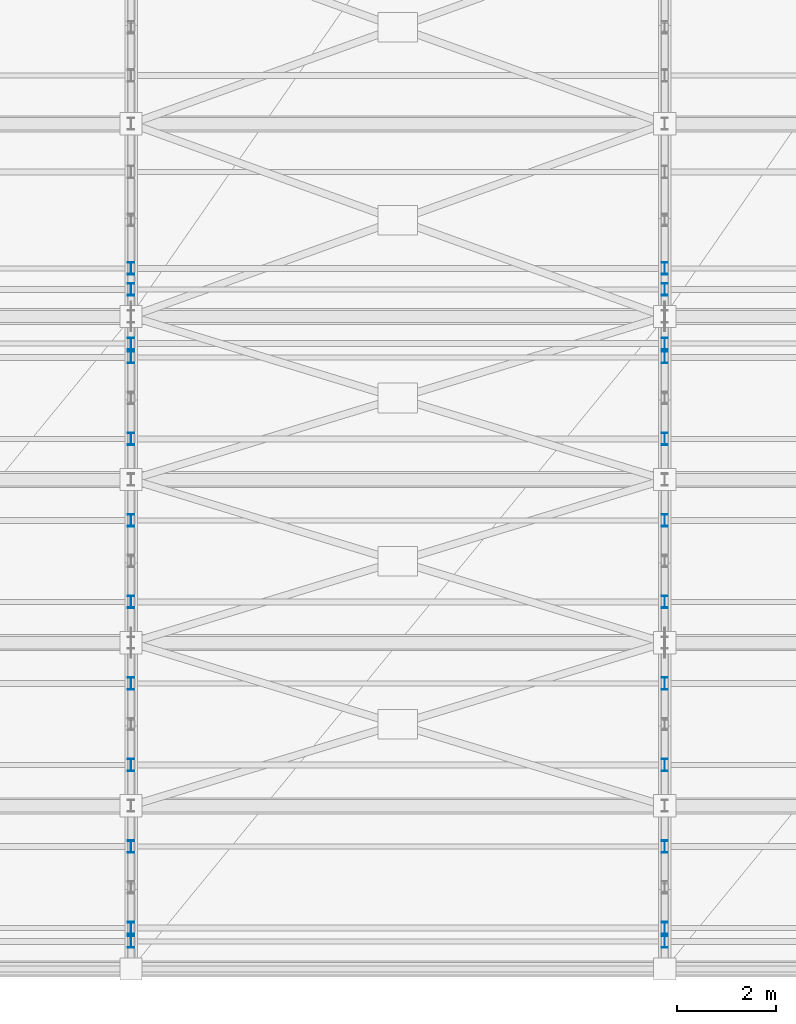
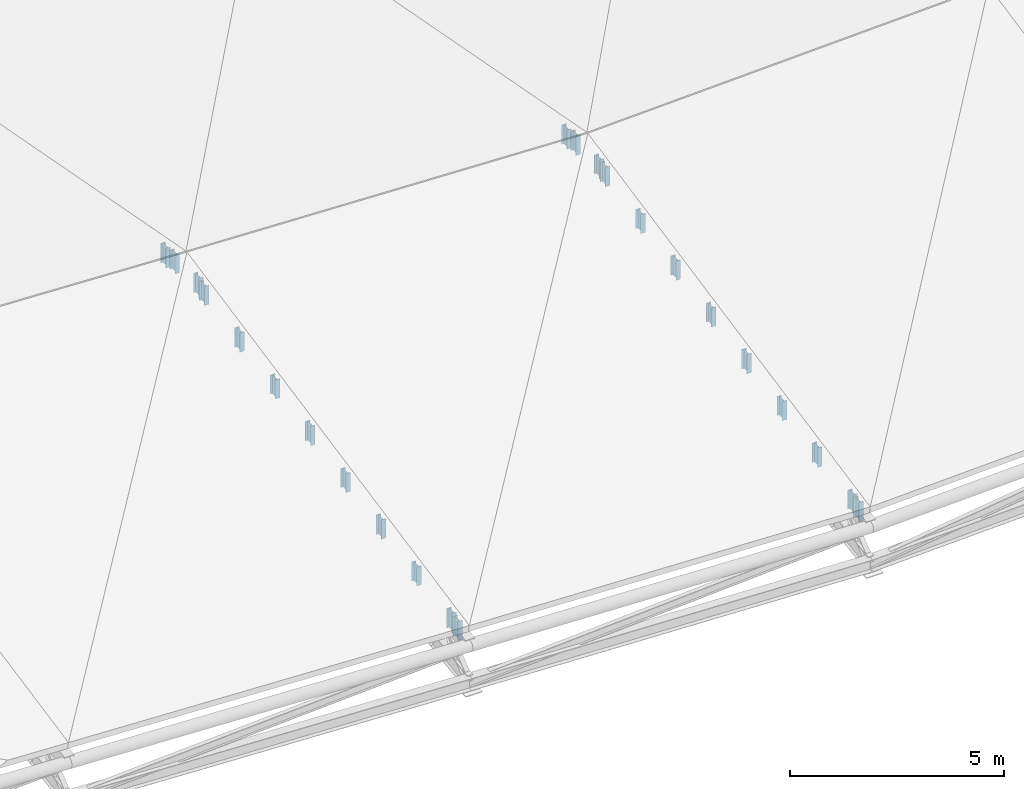
# One storey, part 48 of 89: 24 members.
"""IFC4 building model written with IfcOpenShell, lengths in metres."""

from ifc_helpers import new_model, si_unit, direction, frame, origin, origin_2d, place, context, subcontext, project, spatial, i_section, extrude, material, material_profile, profile_set, type_object, element, save


model = new_model("IFC4")

# Units and contexts
model_context = context("Model", 3, precision=1e-05, world=origin(), true_north=direction((0.0, 1.0)))
body_context = subcontext(model_context, "Body", "Model", "MODEL_VIEW")
ifc_project = project(units=[si_unit("LENGTHUNIT", "METRE"), si_unit("AREAUNIT", "SQUARE_METRE"), si_unit("VOLUMEUNIT", "CUBIC_METRE"), si_unit("PLANEANGLEUNIT", "RADIAN"), si_unit("MASSUNIT", "GRAM", prefix="KILO")], contexts=[model_context])

# Site, building, storey
site_placement = place(None, origin())
site = spatial("IfcSite", under=ifc_project, at=site_placement, CompositionType="ELEMENT")
building_placement = place(site_placement, origin())
building = spatial("IfcBuilding", under=site, at=building_placement, Name="Suirenkawa Promenade Aquatics Centre", CompositionType="ELEMENT")
storey_placement = place(building_placement, frame((0.0, 0.0, 9.60009765625)))
storey = spatial("IfcBuildingStorey", under=building, at=storey_placement, Name="L02", CompositionType="ELEMENT", Elevation=9.60009765625)

# Members
ifc_material = material(Name="Steel IS 2062 E350 (Grade 350)", Category="steel")
ifc_material_profile = material_profile(ifc_material, i_section(OverallWidth=0.125, OverallDepth=0.25, WebThickness=0.007080078125, FlangeThickness=0.012939453125, at=origin_2d()), Name="ISMB 250", Category="steel")
ifc_profile_set = profile_set([ifc_material_profile], Name="Steel IS 2062 E350 (Grade 350)")
member_type = type_object("IfcMemberType", Name="MT-WEB-CHS168", PredefinedType="BRACE", material=ifc_profile_set)
member_1_placement = place(storey_placement, frame((100.800048828125, 0.550048828125, -1.22021484375), z_axis=(0.0, 0.0, 1.0), x_axis=(1.0, 0.0, 0.0)))
element("IfcMember", 1, at=member_1_placement, inside=storey, type_object=member_type, Name="ROOF TRUSS Purlin cleat post TD-03 MB-2666", PredefinedType="BRACE", context=body_context, shape_type="SweptSolid", body=[
    extrude(i_section(OverallWidth=0.125, OverallDepth=0.25, WebThickness=0.007080078125, FlangeThickness=0.012939453125, at=origin_2d()), origin(), (0.0, 0.0, 1.0), 0.5400390625),
])
member_2_placement = place(storey_placement, frame((100.800048828125, 0.824951171875, -1.1640625), z_axis=(0.0, 0.0, 1.0), x_axis=(1.0, 0.0, 0.0)))
element("IfcMember", 2, at=member_2_placement, inside=storey, type_object=member_type, Name="ROOF TRUSS Purlin cleat post TD-03 MB-2668", PredefinedType="BRACE", context=body_context, shape_type="SweptSolid", body=[
    extrude(i_section(OverallWidth=0.125, OverallDepth=0.25, WebThickness=0.007080078125, FlangeThickness=0.012939453125, at=origin_2d()), origin(), (0.0, 0.0, 1.0), 0.552001953125),
])
member_3_placement = place(storey_placement, frame((100.800048828125, 2.47509765625, -0.8330078125), z_axis=(0.0, 0.0, 1.0), x_axis=(1.0, 0.0, 0.0)))
element("IfcMember", 3, at=member_3_placement, inside=storey, type_object=member_type, Name="ROOF TRUSS Purlin cleat post TD-03 MB-2670", PredefinedType="BRACE", context=body_context, shape_type="SweptSolid", body=[
    extrude(i_section(OverallWidth=0.125, OverallDepth=0.25, WebThickness=0.007080078125, FlangeThickness=0.012939453125, at=origin_2d()), origin(), (0.0, 0.0, 1.0), 0.539794921875),
])
member_4_placement = place(storey_placement, frame((100.800048828125, 4.125, -0.502197265625), z_axis=(0.0, 0.0, 1.0), x_axis=(1.0, 0.0, 0.0)))
element("IfcMember", 4, at=member_4_placement, inside=storey, type_object=member_type, Name="ROOF TRUSS Purlin cleat post TD-03 MB-2672", PredefinedType="BRACE", context=body_context, shape_type="SweptSolid", body=[
    extrude(i_section(OverallWidth=0.125, OverallDepth=0.25, WebThickness=0.007080078125, FlangeThickness=0.012939453125, at=origin_2d()), origin(), (0.0, 0.0, 1.0), 0.552001953125),
])
member_5_placement = place(storey_placement, frame((100.800048828125, 5.77490234375, -0.171142578125), z_axis=(0.0, 0.0, 1.0), x_axis=(1.0, 0.0, 0.0)))
element("IfcMember", 5, at=member_5_placement, inside=storey, type_object=member_type, Name="ROOF TRUSS Purlin cleat post TD-03 MB-2674", PredefinedType="BRACE", context=body_context, shape_type="SweptSolid", body=[
    extrude(i_section(OverallWidth=0.125, OverallDepth=0.25, WebThickness=0.007080078125, FlangeThickness=0.012939453125, at=origin_2d()), origin(), (0.0, 0.0, 1.0), 0.5400390625),
])
member_6_placement = place(storey_placement, frame((100.800048828125, 7.425048828125, 0.160888671875), z_axis=(0.0, 0.0, 1.0), x_axis=(1.0, 0.0, 0.0)))
element("IfcMember", 6, at=member_6_placement, inside=storey, type_object=member_type, Name="ROOF TRUSS Purlin cleat post TD-03 MB-2676", PredefinedType="BRACE", context=body_context, shape_type="SweptSolid", body=[
    extrude(i_section(OverallWidth=0.125, OverallDepth=0.25, WebThickness=0.007080078125, FlangeThickness=0.012939453125, at=origin_2d()), origin(), (0.0, 0.0, 1.0), 0.552001953125),
])
member_7_placement = place(storey_placement, frame((100.800048828125, 9.074951171875, 0.491943359375), z_axis=(0.0, 0.0, 1.0), x_axis=(1.0, 0.0, 0.0)))
element("IfcMember", 7, at=member_7_placement, inside=storey, type_object=member_type, Name="ROOF TRUSS Purlin cleat post TD-03 MB-2678", PredefinedType="BRACE", context=body_context, shape_type="SweptSolid", body=[
    extrude(i_section(OverallWidth=0.125, OverallDepth=0.25, WebThickness=0.007080078125, FlangeThickness=0.012939453125, at=origin_2d()), origin(), (0.0, 0.0, 1.0), 0.5400390625),
])
member_8_placement = place(storey_placement, frame((100.800048828125, 10.72509765625, 0.822998046875), z_axis=(0.0, 0.0, 1.0), x_axis=(1.0, 0.0, 0.0)))
element("IfcMember", 8, at=member_8_placement, inside=storey, type_object=member_type, Name="ROOF TRUSS Purlin cleat post TD-03 MB-2680", PredefinedType="BRACE", context=body_context, shape_type="SweptSolid", body=[
    extrude(i_section(OverallWidth=0.125, OverallDepth=0.25, WebThickness=0.007080078125, FlangeThickness=0.012939453125, at=origin_2d()), origin(), (0.0, 0.0, 1.0), 0.552001953125),
])
member_9_placement = place(storey_placement, frame((100.800048828125, 12.375, 1.15380859375), z_axis=(0.0, 0.0, 1.0), x_axis=(1.0, 0.0, 0.0)))
element("IfcMember", 9, at=member_9_placement, inside=storey, type_object=member_type, Name="ROOF TRUSS Purlin cleat post TD-03 MB-2682", PredefinedType="BRACE", context=body_context, shape_type="SweptSolid", body=[
    extrude(i_section(OverallWidth=0.125, OverallDepth=0.25, WebThickness=0.007080078125, FlangeThickness=0.012939453125, at=origin_2d()), origin(), (0.0, 0.0, 1.0), 0.5400390625),
])
member_10_placement = place(storey_placement, frame((100.800048828125, 12.64990234375, 1.2099609375), z_axis=(0.0, 0.0, 1.0), x_axis=(1.0, 0.0, 0.0)))
element("IfcMember", 10, at=member_10_placement, inside=storey, type_object=member_type, Name="ROOF TRUSS Purlin cleat post TD-03 MB-2684", PredefinedType="BRACE", context=body_context, shape_type="SweptSolid", body=[
    extrude(i_section(OverallWidth=0.125, OverallDepth=0.25, WebThickness=0.007080078125, FlangeThickness=0.012939453125, at=origin_2d()), origin(), (0.0, 0.0, 1.0), 0.552001953125),
])
member_11_placement = place(storey_placement, frame((100.800048828125, 13.75, 1.2158203125), z_axis=(0.0, 0.0, 1.0), x_axis=(1.0, 0.0, 0.0)))
element("IfcMember", 11, at=member_11_placement, inside=storey, type_object=member_type, Name="ROOF TRUSS Purlin cleat post TD-03 MB-2686", PredefinedType="BRACE", context=body_context, shape_type="SweptSolid", body=[
    extrude(i_section(OverallWidth=0.125, OverallDepth=0.25, WebThickness=0.007080078125, FlangeThickness=0.012939453125, at=origin_2d()), origin(), (0.0, 0.0, 1.0), 0.541015625),
])
member_12_placement = place(storey_placement, frame((100.800048828125, 14.175048828125, 1.135986328125), z_axis=(0.0, 0.0, 1.0), x_axis=(1.0, 0.0, 0.0)))
element("IfcMember", 12, at=member_12_placement, inside=storey, type_object=member_type, Name="ROOF TRUSS Purlin cleat post TD-03 MB-2688", PredefinedType="BRACE", context=body_context, shape_type="SweptSolid", body=[
    extrude(i_section(OverallWidth=0.125, OverallDepth=0.25, WebThickness=0.007080078125, FlangeThickness=0.012939453125, at=origin_2d()), origin(), (0.0, 0.0, 1.0), 0.552978515625),
])
member_13_placement = place(storey_placement, frame((111.60009765625, 0.550048828125, -1.6201171875), z_axis=(0.0, 0.0, 1.0), x_axis=(1.0, 0.0, 0.0)))
element("IfcMember", 13, at=member_13_placement, inside=storey, type_object=member_type, Name="ROOF TRUSS Purlin cleat post TD-03 MB-2706", PredefinedType="BRACE", context=body_context, shape_type="SweptSolid", body=[
    extrude(i_section(OverallWidth=0.125, OverallDepth=0.25, WebThickness=0.007080078125, FlangeThickness=0.012939453125, at=origin_2d()), origin(), (0.0, 0.0, 1.0), 0.552001953125),
])
member_14_placement = place(storey_placement, frame((111.60009765625, 0.824951171875, -1.564208984375), z_axis=(0.0, 0.0, 1.0), x_axis=(1.0, 0.0, 0.0)))
element("IfcMember", 14, at=member_14_placement, inside=storey, type_object=member_type, Name="ROOF TRUSS Purlin cleat post TD-03 MB-2708", PredefinedType="BRACE", context=body_context, shape_type="SweptSolid", body=[
    extrude(i_section(OverallWidth=0.125, OverallDepth=0.25, WebThickness=0.007080078125, FlangeThickness=0.012939453125, at=origin_2d()), origin(), (0.0, 0.0, 1.0), 0.5400390625),
])
member_15_placement = place(storey_placement, frame((111.60009765625, 2.47509765625, -1.233154296875), z_axis=(0.0, 0.0, 1.0), x_axis=(1.0, 0.0, 0.0)))
element("IfcMember", 15, at=member_15_placement, inside=storey, type_object=member_type, Name="ROOF TRUSS Purlin cleat post TD-03 MB-2710", PredefinedType="BRACE", context=body_context, shape_type="SweptSolid", body=[
    extrude(i_section(OverallWidth=0.125, OverallDepth=0.25, WebThickness=0.007080078125, FlangeThickness=0.012939453125, at=origin_2d()), origin(), (0.0, 0.0, 1.0), 0.552001953125),
])
member_16_placement = place(storey_placement, frame((111.60009765625, 4.125, -0.902099609375), z_axis=(0.0, 0.0, 1.0), x_axis=(1.0, 0.0, 0.0)))
element("IfcMember", 16, at=member_16_placement, inside=storey, type_object=member_type, Name="ROOF TRUSS Purlin cleat post TD-03 MB-2712", PredefinedType="BRACE", context=body_context, shape_type="SweptSolid", body=[
    extrude(i_section(OverallWidth=0.125, OverallDepth=0.25, WebThickness=0.007080078125, FlangeThickness=0.012939453125, at=origin_2d()), origin(), (0.0, 0.0, 1.0), 0.5400390625),
])
member_17_placement = place(storey_placement, frame((111.60009765625, 5.77490234375, -0.571044921875), z_axis=(0.0, 0.0, 1.0), x_axis=(1.0, 0.0, 0.0)))
element("IfcMember", 17, at=member_17_placement, inside=storey, type_object=member_type, Name="ROOF TRUSS Purlin cleat post TD-03 MB-2714", PredefinedType="BRACE", context=body_context, shape_type="SweptSolid", body=[
    extrude(i_section(OverallWidth=0.125, OverallDepth=0.25, WebThickness=0.007080078125, FlangeThickness=0.012939453125, at=origin_2d()), origin(), (0.0, 0.0, 1.0), 0.552001953125),
])
member_18_placement = place(storey_placement, frame((111.60009765625, 7.425048828125, -0.239013671875), z_axis=(0.0, 0.0, 1.0), x_axis=(1.0, 0.0, 0.0)))
element("IfcMember", 18, at=member_18_placement, inside=storey, type_object=member_type, Name="ROOF TRUSS Purlin cleat post TD-03 MB-2716", PredefinedType="BRACE", context=body_context, shape_type="SweptSolid", body=[
    extrude(i_section(OverallWidth=0.125, OverallDepth=0.25, WebThickness=0.007080078125, FlangeThickness=0.012939453125, at=origin_2d()), origin(), (0.0, 0.0, 1.0), 0.539794921875),
])
member_19_placement = place(storey_placement, frame((111.60009765625, 9.074951171875, 0.091796875), z_axis=(0.0, 0.0, 1.0), x_axis=(1.0, 0.0, 0.0)))
element("IfcMember", 19, at=member_19_placement, inside=storey, type_object=member_type, Name="ROOF TRUSS Purlin cleat post TD-03 MB-2718", PredefinedType="BRACE", context=body_context, shape_type="SweptSolid", body=[
    extrude(i_section(OverallWidth=0.125, OverallDepth=0.25, WebThickness=0.007080078125, FlangeThickness=0.012939453125, at=origin_2d()), origin(), (0.0, 0.0, 1.0), 0.552001953125),
])
member_20_placement = place(storey_placement, frame((111.60009765625, 10.72509765625, 0.4228515625), z_axis=(0.0, 0.0, 1.0), x_axis=(1.0, 0.0, 0.0)))
element("IfcMember", 20, at=member_20_placement, inside=storey, type_object=member_type, Name="ROOF TRUSS Purlin cleat post TD-03 MB-2720", PredefinedType="BRACE", context=body_context, shape_type="SweptSolid", body=[
    extrude(i_section(OverallWidth=0.125, OverallDepth=0.25, WebThickness=0.007080078125, FlangeThickness=0.012939453125, at=origin_2d()), origin(), (0.0, 0.0, 1.0), 0.5400390625),
])
member_21_placement = place(storey_placement, frame((111.60009765625, 12.375, 0.75390625), z_axis=(0.0, 0.0, 1.0), x_axis=(1.0, 0.0, 0.0)))
element("IfcMember", 21, at=member_21_placement, inside=storey, type_object=member_type, Name="ROOF TRUSS Purlin cleat post TD-03 MB-2722", PredefinedType="BRACE", context=body_context, shape_type="SweptSolid", body=[
    extrude(i_section(OverallWidth=0.125, OverallDepth=0.25, WebThickness=0.007080078125, FlangeThickness=0.012939453125, at=origin_2d()), origin(), (0.0, 0.0, 1.0), 0.552001953125),
])
member_22_placement = place(storey_placement, frame((111.60009765625, 12.64990234375, 0.809814453125), z_axis=(0.0, 0.0, 1.0), x_axis=(1.0, 0.0, 0.0)))
element("IfcMember", 22, at=member_22_placement, inside=storey, type_object=member_type, Name="ROOF TRUSS Purlin cleat post TD-03 MB-2724", PredefinedType="BRACE", context=body_context, shape_type="SweptSolid", body=[
    extrude(i_section(OverallWidth=0.125, OverallDepth=0.25, WebThickness=0.007080078125, FlangeThickness=0.012939453125, at=origin_2d()), origin(), (0.0, 0.0, 1.0), 0.5400390625),
])
member_23_placement = place(storey_placement, frame((111.60009765625, 13.75, 0.81591796875), z_axis=(0.0, 0.0, 1.0), x_axis=(1.0, 0.0, 0.0)))
element("IfcMember", 23, at=member_23_placement, inside=storey, type_object=member_type, Name="ROOF TRUSS Purlin cleat post TD-03 MB-2726", PredefinedType="BRACE", context=body_context, shape_type="SweptSolid", body=[
    extrude(i_section(OverallWidth=0.125, OverallDepth=0.25, WebThickness=0.007080078125, FlangeThickness=0.012939453125, at=origin_2d()), origin(), (0.0, 0.0, 1.0), 0.552978515625),
])
member_24_placement = place(storey_placement, frame((111.60009765625, 14.175048828125, 0.73583984375), z_axis=(0.0, 0.0, 1.0), x_axis=(1.0, 0.0, 0.0)))
element("IfcMember", 24, at=member_24_placement, inside=storey, type_object=member_type, Name="ROOF TRUSS Purlin cleat post TD-03 MB-2728", PredefinedType="BRACE", context=body_context, shape_type="SweptSolid", body=[
    extrude(i_section(OverallWidth=0.125, OverallDepth=0.25, WebThickness=0.007080078125, FlangeThickness=0.012939453125, at=origin_2d()), origin(), (0.0, 0.0, 1.0), 0.541015625),
])

save(model, "model.ifc")
